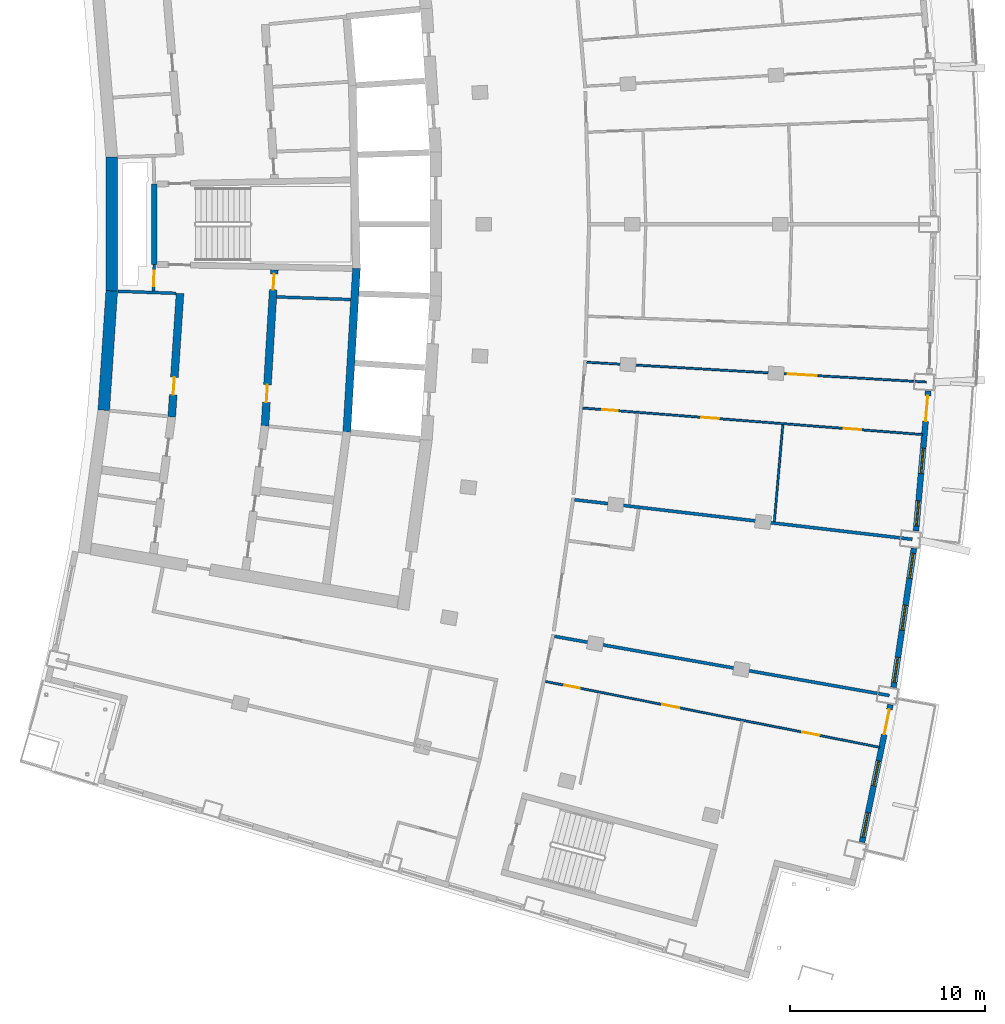
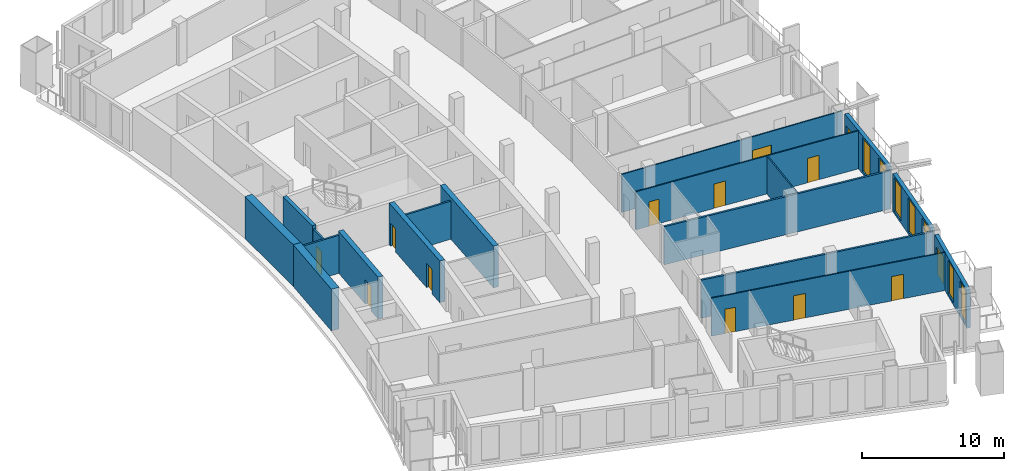
# One storey, part 11 of 19: 18 walls, 13 doors, 7 windows, 20 openings.
"""IFC4 building model written with IfcOpenShell, lengths in metres."""

from ifc_helpers import new_model, si_unit, direction, frame, frame_2d, origin, place, context, subcontext, project, spatial, rectangle, extrude, material, layer, layer_set, type_object, element, fill, save


model = new_model("IFC4")

# Units and contexts
model_context = context("Model", 3, precision=1e-05, world=origin(), true_north=direction((0.0, 1.0)))
body_context = subcontext(model_context, "Body", "Model", "MODEL_VIEW")
ifc_project = project(units=[si_unit("LENGTHUNIT", "METRE"), si_unit("AREAUNIT", "SQUARE_METRE"), si_unit("VOLUMEUNIT", "CUBIC_METRE"), si_unit("PLANEANGLEUNIT", "RADIAN"), si_unit("MASSUNIT", "GRAM", prefix="KILO")], contexts=[model_context])

# Site, building, storey
site_placement = place(None, origin())
site = spatial("IfcSite", under=ifc_project, at=site_placement, CompositionType="ELEMENT")
building_placement = place(site_placement, origin())
building = spatial("IfcBuilding", under=site, at=building_placement, Name="Alderwake Tower", CompositionType="ELEMENT")
storey_placement = place(building_placement, frame((0.0, 0.0, 192.800048828125)))
storey = spatial("IfcBuildingStorey", under=building, at=storey_placement, Name="L47", CompositionType="ELEMENT", Elevation=192.800048828125)

# Wall
ifc_material_1 = material(Name="Gypsum shaft wall system, rated")
ifc_layer_1 = layer(ifc_material_1, 0.14990234375)
ifc_layer_set_1 = layer_set([ifc_layer_1], Name="Core riser partition 150")
wall_type_1 = type_object("IfcWallType", Name="Core riser partition 150", PredefinedType="PARTITIONING", material=ifc_layer_set_1)
wall_1_placement = place(storey_placement, frame((25.1904296875, 57.276611328125, 0.0), z_axis=(0.0, 0.0, 1.0), x_axis=(0.999373547283, -0.03539086028, 0.0)))
element("IfcWall", 1, at=wall_1_placement, inside=storey, type_object=wall_type_1, Name="CW/L47/PR-37_+86", PredefinedType="PARTITIONING", context=body_context, shape_type="SweptSolid", body=[
    extrude(rectangle(XDim=3.794189453125, YDim=0.14990234375, at=frame_2d((1.89697265625, 0.0))), origin(), (0.0, 0.0, 1.0), 3.280029296875),
])

# Wall, opening, door
ifc_material_2 = material(Name="Gypsum shaft wall system, rated")
ifc_layer_2 = layer(ifc_material_2, 0.14990234375)
ifc_layer_set_2 = layer_set([ifc_layer_2], Name="Core room partition 150")
wall_type_2 = type_object("IfcWallType", Name="Core room partition 150", PredefinedType="PARTITIONING", material=ifc_layer_set_2)
wall_2_placement = place(storey_placement, frame((18.918701171875, 58.94384765625, 0.0), z_axis=(0.0, 0.0, 1.0), x_axis=(-0.027811602725, -0.999613182563, 0.0)))
wall_2 = element("IfcWall", 2, at=wall_2_placement, inside=storey, type_object=wall_type_2, Name="CW/L47/PA+24_-37", PredefinedType="PARTITIONING", context=body_context, shape_type="SweptSolid", body=[
    extrude(rectangle(XDim=1.369384765625, YDim=0.14990234375, at=frame_2d((0.6845703125, 0.0))), origin(), (0.0, 0.0, 1.0), 3.280029296875),
])
opening_1_placement = place(wall_2_placement, frame((0.322998046875, 0.0, 0.0)))
opening_1 = element("IfcOpeningElement", 3, at=opening_1_placement, cuts=wall_2, Name="Opening C004", PredefinedType="OPENING", context=body_context, shape_type="SweptSolid", body=[
    extrude(rectangle(XDim=0.800048828125, YDim=2.0, at=frame_2d((0.39990234375, 1.0))), frame((0.0, 0.0849609375, 0.0), z_axis=(0.0, -1.0, 0.0), x_axis=(1.0, 0.0, 0.0)), (0.0, 0.0, 1.0), 0.169921875),
])
ifc_material_3 = material(Name="Painted steel leaf, rated", Category="steel")
door_type_1 = type_object("IfcDoorType", Name="Riser access door 800", OperationType="SINGLE_SWING_LEFT", PredefinedType="DOOR", material=ifc_material_3)
door_1_placement = place(opening_1_placement, origin())
door_1 = element("IfcDoor", 4, at=door_1_placement, inside=storey, type_object=door_type_1, Name="Riser access door", OperationType="SINGLE_SWING_RIGHT", OverallHeight=2.0, OverallWidth=0.800048828125, PredefinedType="DOOR", context=body_context, shape_type="SweptSolid", body=[
    extrude(rectangle(XDim=0.800048828125, YDim=2.0, at=frame_2d((0.39990234375, 1.0))), frame((0.0, 0.02490234375, 0.0), z_axis=(0.0, -1.0, 0.0), x_axis=(1.0, 0.0, 0.0)), (0.0, 0.0, 1.0), 0.050048828125),
])
fill(opening_1, door_1)

# Walls
wall_3_placement = place(storey_placement, frame((17.0693359375, 57.56396484375, 0.0), z_axis=(0.0, 0.0, 1.0), x_axis=(0.999374945052, -0.03535136775, 0.0)))
element("IfcWall", 5, at=wall_3_placement, inside=storey, type_object=wall_type_2, Name="CW/L47/PR-37_+0", PredefinedType="PARTITIONING", context=body_context, shape_type="SweptSolid", body=[
    extrude(rectangle(XDim=2.9697265625, YDim=0.14990234375, at=frame_2d((1.48486328125, 0.0))), origin(), (0.0, 0.0, 1.0), 3.280029296875),
])
ifc_material_4 = material(Name="Concrete C70/85", Category="concrete")
ifc_layer_3 = layer(ifc_material_4, 0.60009765625)
ifc_layer_set_3 = layer_set([ifc_layer_3], Name="Core wall outer 600 C70-85")
wall_type_3 = type_object("IfcWallType", Name="Core wall outer 600 C70-85", PredefinedType="SHEAR", material=ifc_layer_set_3)
wall_4_placement = place(storey_placement, frame((16.330078125, 51.469970703125, 0.0), z_axis=(0.0, 0.0, 1.0), x_axis=(0.066870582109, 0.997761657536, 0.0)))
element("IfcWall", 6, at=wall_4_placement, inside=storey, type_object=wall_type_3, Name="Core wall CW.036", PredefinedType="SHEAR", context=body_context, shape_type="SweptSolid", body=[
    extrude(rectangle(XDim=6.1298828125, YDim=0.60009765625, at=frame_2d((3.06494140625, 0.0))), origin(), (0.0, 0.0, 1.0), 3.599853515625),
])
wall_5_placement = place(storey_placement, frame((16.739501953125, 57.565185546875, 0.0), z_axis=(0.0, 0.0, 1.0), x_axis=(0.0, 1.0, 0.0)))
element("IfcWall", 7, at=wall_5_placement, inside=storey, type_object=wall_type_3, Name="Core wall CW.038", PredefinedType="SHEAR", context=body_context, shape_type="SweptSolid", body=[
    extrude(rectangle(XDim=6.8720703125, YDim=0.60009765625, at=frame_2d((3.43603515625, 0.0))), origin(), (0.0, 0.0, 1.0), 3.599853515625),
])

# Wall, opening, door
ifc_material_5 = material(Name="Concrete C70/85", Category="concrete")
ifc_layer_4 = layer(ifc_material_5, 0.39990234375)
ifc_layer_set_4 = layer_set([ifc_layer_4], Name="Core wall spine 400 C70-85")
wall_type_4 = type_object("IfcWallType", Name="Core wall spine 400 C70-85", PredefinedType="SHEAR", material=ifc_layer_set_4)
wall_6_placement = place(storey_placement, frame((20.2373046875, 57.451904296875, 0.0), z_axis=(0.0, 0.0, 1.0), x_axis=(-0.066884681503, -0.997760712486, 0.0)))
wall_6 = element("IfcWall", 8, at=wall_6_placement, inside=storey, type_object=wall_type_4, Name="Core wall CW.032", PredefinedType="SHEAR", context=body_context, shape_type="SweptSolid", body=[
    extrude(rectangle(XDim=6.336669921875, YDim=0.39990234375, at=frame_2d((3.16845703125, 0.0))), origin(), (0.0, 0.0, 1.0), 3.599853515625),
])
opening_2_placement = place(wall_6_placement, frame((4.297119140625, 0.0, 0.0)))
opening_2 = element("IfcOpeningElement", 9, at=opening_2_placement, cuts=wall_6, Name="Opening C040", PredefinedType="OPENING", context=body_context, shape_type="SweptSolid", body=[
    extrude(rectangle(XDim=0.89990234375, YDim=2.10009765625, at=frame_2d((0.449951171875, 1.050048828125))), frame((0.0, 0.2099609375, 0.0), z_axis=(0.0, -1.0, 0.0), x_axis=(1.0, 0.0, 0.0)), (0.0, 0.0, 1.0), 0.419921875),
])
ifc_material_6 = material(Name="Painted steel leaf", Category="steel")
door_type_2 = type_object("IfcDoorType", Name="Core room door 900", OperationType="SINGLE_SWING_LEFT", PredefinedType="DOOR", material=ifc_material_6)
door_2_placement = place(opening_2_placement, origin())
door_2 = element("IfcDoor", 10, at=door_2_placement, inside=storey, type_object=door_type_2, Name="Room door", OperationType="SINGLE_SWING_RIGHT", OverallHeight=2.10009765625, OverallWidth=0.89990234375, PredefinedType="DOOR", context=body_context, shape_type="SweptSolid", body=[
    extrude(rectangle(XDim=0.89990234375, YDim=2.10009765625, at=frame_2d((0.449951171875, 1.050048828125))), frame((0.0, 0.02490234375, 0.0), z_axis=(0.0, -1.0, 0.0), x_axis=(1.0, 0.0, 0.0)), (0.0, 0.0, 1.0), 0.050048828125),
])
fill(opening_2, door_2)

# Wall, openings, doors
wall_7_placement = place(storey_placement, frame((24.590087890625, 50.65673828125, 0.0), z_axis=(0.0, 0.0, 1.0), x_axis=(0.060318641452, 0.998179173041, 0.0)))
wall_7 = element("IfcWall", 11, at=wall_7_placement, inside=storey, type_object=wall_type_4, Name="Core wall CW.046", PredefinedType="SHEAR", context=body_context, shape_type="SweptSolid", body=[
    extrude(rectangle(XDim=8.022216796875, YDim=0.39990234375, at=frame_2d((4.01123046875, 0.0))), origin(), (0.0, 0.0, 1.0), 3.599853515625),
])
opening_3_placement = place(wall_7_placement, frame((7.006103515625, 0.0, 0.0)))
opening_3 = element("IfcOpeningElement", 12, at=opening_3_placement, cuts=wall_7, Name="Opening C006", PredefinedType="OPENING", context=body_context, shape_type="SweptSolid", body=[
    extrude(rectangle(XDim=0.800048828125, YDim=2.0, at=frame_2d((0.39990234375, 1.0))), frame((0.0, 0.2099609375, 0.0), z_axis=(0.0, -1.0, 0.0), x_axis=(1.0, 0.0, 0.0)), (0.0, 0.0, 1.0), 0.419921875),
])
opening_4_placement = place(wall_7_placement, frame((1.21533203125, 0.0, 0.0)))
opening_4 = element("IfcOpeningElement", 13, at=opening_4_placement, cuts=wall_7, Name="Opening C046", PredefinedType="OPENING", context=body_context, shape_type="SweptSolid", body=[
    extrude(rectangle(XDim=0.89990234375, YDim=2.10009765625, at=frame_2d((0.449951171875, 1.050048828125))), frame((0.0, 0.2099609375, 0.0), z_axis=(0.0, -1.0, 0.0), x_axis=(1.0, 0.0, 0.0)), (0.0, 0.0, 1.0), 0.419921875),
])
door_3_placement = place(opening_4_placement, origin())
door_3 = element("IfcDoor", 14, at=door_3_placement, inside=storey, type_object=door_type_2, Name="Room door", OperationType="SINGLE_SWING_RIGHT", OverallHeight=2.10009765625, OverallWidth=0.89990234375, PredefinedType="DOOR", context=body_context, shape_type="SweptSolid", body=[
    extrude(rectangle(XDim=0.89990234375, YDim=2.10009765625, at=frame_2d((0.449951171875, 1.050048828125))), frame((0.0, 0.02490234375, 0.0), z_axis=(0.0, -1.0, 0.0), x_axis=(1.0, 0.0, 0.0)), (0.0, 0.0, 1.0), 0.050048828125),
])
fill(opening_4, door_3)
door_4_placement = place(opening_3_placement, origin())
door_4 = element("IfcDoor", 15, at=door_4_placement, inside=storey, type_object=door_type_1, Name="Riser access door", OperationType="SINGLE_SWING_RIGHT", OverallHeight=2.0, OverallWidth=0.800048828125, PredefinedType="DOOR", context=body_context, shape_type="SweptSolid", body=[
    extrude(rectangle(XDim=0.800048828125, YDim=2.0, at=frame_2d((0.39990234375, 1.0))), frame((0.0, 0.02490234375, 0.0), z_axis=(0.0, -1.0, 0.0), x_axis=(1.0, 0.0, 0.0)), (0.0, 0.0, 1.0), 0.050048828125),
])
fill(opening_3, door_4)

# Walls
wall_8_placement = place(storey_placement, frame((28.780029296875, 50.34765625, 0.0), z_axis=(0.0, 0.0, 1.0), x_axis=(0.05912910263, 0.998250343963, 0.0)))
element("IfcWall", 16, at=wall_8_placement, inside=storey, type_object=wall_type_4, Name="Core wall CW.004", PredefinedType="SHEAR", context=body_context, shape_type="SweptSolid", body=[
    extrude(rectangle(XDim=8.40234375, YDim=0.39990234375, at=frame_2d((4.201171875, 0.0))), origin(), (0.0, 0.0, 1.0), 3.599853515625),
])
ifc_material_7 = material(Name="Concrete C70/85", Category="concrete")
ifc_layer_5 = layer(ifc_material_7, 0.300048828125)
ifc_layer_set_5 = layer_set([ifc_layer_5], Name="Core wall stair enclosure 300 C70-85")
wall_type_5 = type_object("IfcWallType", Name="Core wall stair enclosure 300 C70-85", PredefinedType="SHEAR", material=ifc_layer_set_5)
wall_9_placement = place(storey_placement, frame((18.918701171875, 58.940673828125, 0.0), z_axis=(0.0, 0.0, 1.0), x_axis=(0.0, 1.0, 0.0)))
element("IfcWall", 17, at=wall_9_placement, inside=storey, type_object=wall_type_5, Name="Core wall CW.024", PredefinedType="SHEAR", context=body_context, shape_type="SweptSolid", body=[
    extrude(rectangle(XDim=4.11962890625, YDim=0.300048828125, at=frame_2d((2.059814453125, 0.0))), origin(), (0.0, 0.0, 1.0), 3.599853515625),
])
ifc_material_8 = material(Name="Gypsum board on metal studs, rated")
ifc_layer_6 = layer(ifc_material_8, 0.159912109375)
ifc_layer_set_6 = layer_set([ifc_layer_6], Name="Corridor wall 160")
wall_type_6 = type_object("IfcWallType", Name="Corridor wall 160", PredefinedType="PARTITIONING", material=ifc_layer_set_6)
wall_10_placement = place(storey_placement, frame((56.5830078125, 36.85205078125, 0.0), z_axis=(0.0, 0.0, 1.0), x_axis=(-0.984749823473, 0.173976392566, 0.0)))
element("IfcWall", 18, at=wall_10_placement, inside=storey, type_object=wall_type_6, Name="WL/L47/W28", PredefinedType="PARTITIONING", context=body_context, shape_type="SweptSolid", body=[
    extrude(rectangle(XDim=17.421875, YDim=0.159912109375, at=frame_2d((8.7109375, 0.0))), origin(), (0.0, 0.0, 1.0), 3.280029296875),
])
wall_11_placement = place(storey_placement, frame((57.756103515625, 44.85595703125, 0.0), z_axis=(0.0, 0.0, 1.0), x_axis=(-0.993199884599, 0.116421601229, 0.0)))
element("IfcWall", 19, at=wall_11_placement, inside=storey, type_object=wall_type_6, Name="WL/L47/W29", PredefinedType="PARTITIONING", context=body_context, shape_type="SweptSolid", body=[
    extrude(rectangle(XDim=17.41796875, YDim=0.159912109375, at=frame_2d((8.708984375, 0.0))), origin(), (0.0, 0.0, 1.0), 3.280029296875),
])

# Wall, openings, door, windows
ifc_material_9 = material(Name="Precast concrete C50/60 spandrel panel", Category="concrete")
ifc_layer_7 = layer(ifc_material_9, 0.300048828125)
ifc_layer_set_7 = layer_set([ifc_layer_7], Name="External wall EW1 Precast concrete C50/60 spandrel")
wall_type_7 = type_object("IfcWallType", Name="External wall EW1 Precast concrete C50/60 spandrel", PredefinedType="SOLIDWALL", material=ifc_layer_set_7)
wall_12_placement = place(storey_placement, frame((55.177978515625, 29.3330078125, 0.0), z_axis=(0.0, 0.0, 1.0), x_axis=(0.202740086823, 0.979232585852, 0.0)))
wall_12 = element("IfcWall", 20, at=wall_12_placement, inside=storey, type_object=wall_type_7, Name="External wall 12", PredefinedType="SOLIDWALL", context=body_context, shape_type="SweptSolid", body=[
    extrude(rectangle(XDim=7.20361328125, YDim=0.300048828125, at=frame_2d((3.601806640625, 0.0))), origin(), (0.0, 0.0, 1.0), 3.280029296875),
])
opening_5_placement = place(wall_12_placement, frame((0.257080078125, 0.0, 0.199951171875)))
opening_5 = element("IfcOpeningElement", 21, at=opening_5_placement, cuts=wall_12, Name="Opening W1", PredefinedType="OPENING", context=body_context, shape_type="SweptSolid", body=[
    extrude(rectangle(XDim=1.300048828125, YDim=2.89990234375, at=frame_2d((0.64990234375, 1.449951171875))), frame((0.0, 0.159912109375, 0.0), z_axis=(0.0, -1.0, 0.0), x_axis=(1.0, 0.0, 0.0)), (0.0, 0.0, 1.0), 0.320068359375),
])
opening_6_placement = place(wall_12_placement, frame((2.951904296875, 0.0, 0.199951171875)))
opening_6 = element("IfcOpeningElement", 22, at=opening_6_placement, cuts=wall_12, Name="Opening W1", PredefinedType="OPENING", context=body_context, shape_type="SweptSolid", body=[
    extrude(rectangle(XDim=1.300048828125, YDim=2.89990234375, at=frame_2d((0.64990234375, 1.449951171875))), frame((0.0, 0.159912109375, 0.0), z_axis=(0.0, -1.0, 0.0), x_axis=(1.0, 0.0, 0.0)), (0.0, 0.0, 1.0), 0.320068359375),
])
opening_7_placement = place(wall_12_placement, frame((5.646484375, 0.0, 0.0)))
opening_7 = element("IfcOpeningElement", 23, at=opening_7_placement, cuts=wall_12, Name="Opening D02", PredefinedType="OPENING", context=body_context, shape_type="SweptSolid", body=[
    extrude(rectangle(XDim=1.300048828125, YDim=2.39990234375, at=frame_2d((0.64990234375, 1.199951171875))), frame((0.0, 0.159912109375, 0.0), z_axis=(0.0, -1.0, 0.0), x_axis=(1.0, 0.0, 0.0)), (0.0, 0.0, 1.0), 0.320068359375),
])
ifc_material_10 = material(Name="Bronze tinted glass in aluminium frame", Category="aluminium")
door_type_3 = type_object("IfcDoorType", Name="Balcony door BD sliding", OperationType="SLIDING_TO_LEFT", PredefinedType="DOOR", material=ifc_material_10)
door_5_placement = place(opening_7_placement, origin())
door_5 = element("IfcDoor", 24, at=door_5_placement, inside=storey, type_object=door_type_3, Name="Door D02", OperationType="SLIDING_TO_LEFT", OverallHeight=2.39990234375, OverallWidth=1.300048828125, PredefinedType="DOOR", context=body_context, shape_type="SweptSolid", body=[
    extrude(rectangle(XDim=1.300048828125, YDim=2.39990234375, at=frame_2d((0.64990234375, 1.199951171875))), frame((0.0, 0.02490234375, 0.0), z_axis=(0.0, -1.0, 0.0), x_axis=(1.0, 0.0, 0.0)), (0.0, 0.0, 1.0), 0.050048828125),
])
fill(opening_7, door_5)
ifc_material_11 = material(Name="Bronze tinted glass in aluminium frame", Category="aluminium")
window_type = type_object("IfcWindowType", Name="Window W1 tall fixed and vent", PartitioningType="DOUBLE_PANEL_VERTICAL", PredefinedType="WINDOW", material=ifc_material_11)
window_1_placement = place(opening_5_placement, origin())
window_1 = element("IfcWindow", 25, at=window_1_placement, inside=storey, type_object=window_type, Name="Window W1 tall fixed and vent", OverallHeight=2.89990234375, OverallWidth=1.300048828125, PartitioningType="DOUBLE_PANEL_VERTICAL", PredefinedType="WINDOW", context=body_context, shape_type="SweptSolid", body=[
    extrude(rectangle(XDim=1.300048828125, YDim=2.89990234375, at=frame_2d((0.64990234375, 1.449951171875))), frame((0.0, 0.030029296875, 0.0), z_axis=(0.0, -1.0, 0.0), x_axis=(1.0, 0.0, 0.0)), (0.0, 0.0, 1.0), 0.06005859375),
])
fill(opening_5, window_1)
window_2_placement = place(opening_6_placement, origin())
window_2 = element("IfcWindow", 26, at=window_2_placement, inside=storey, type_object=window_type, Name="Window W1 tall fixed and vent", OverallHeight=2.89990234375, OverallWidth=1.300048828125, PartitioningType="DOUBLE_PANEL_VERTICAL", PredefinedType="WINDOW", context=body_context, shape_type="SweptSolid", body=[
    extrude(rectangle(XDim=1.300048828125, YDim=2.89990234375, at=frame_2d((0.64990234375, 1.449951171875))), frame((0.0, 0.030029296875, 0.0), z_axis=(0.0, -1.0, 0.0), x_axis=(1.0, 0.0, 0.0)), (0.0, 0.0, 1.0), 0.06005859375),
])
fill(opening_6, window_2)

# Wall, openings, windows
wall_13_placement = place(storey_placement, frame((56.794189453125, 37.267578125, 0.0), z_axis=(0.0, 0.0, 1.0), x_axis=(0.145320319938, 0.98938465958, 0.0)))
wall_13 = element("IfcWall", 27, at=wall_13_placement, inside=storey, type_object=wall_type_7, Name="External wall 13", PredefinedType="SOLIDWALL", context=body_context, shape_type="SweptSolid", body=[
    extrude(rectangle(XDim=7.203857421875, YDim=0.300048828125, at=frame_2d((3.60205078125, 0.0))), origin(), (0.0, 0.0, 1.0), 3.280029296875),
])
opening_8_placement = place(wall_13_placement, frame((0.257080078125, 0.0, 0.199951171875)))
opening_8 = element("IfcOpeningElement", 28, at=opening_8_placement, cuts=wall_13, Name="Opening W1", PredefinedType="OPENING", context=body_context, shape_type="SweptSolid", body=[
    extrude(rectangle(XDim=1.300048828125, YDim=2.89990234375, at=frame_2d((0.64990234375, 1.449951171875))), frame((0.0, 0.159912109375, 0.0), z_axis=(0.0, -1.0, 0.0), x_axis=(1.0, 0.0, 0.0)), (0.0, 0.0, 1.0), 0.320068359375),
])
opening_9_placement = place(wall_13_placement, frame((2.951904296875, 0.0, 0.199951171875)))
opening_9 = element("IfcOpeningElement", 29, at=opening_9_placement, cuts=wall_13, Name="Opening W1", PredefinedType="OPENING", context=body_context, shape_type="SweptSolid", body=[
    extrude(rectangle(XDim=1.300048828125, YDim=2.89990234375, at=frame_2d((0.64990234375, 1.449951171875))), frame((0.0, 0.159912109375, 0.0), z_axis=(0.0, -1.0, 0.0), x_axis=(1.0, 0.0, 0.0)), (0.0, 0.0, 1.0), 0.320068359375),
])
opening_10_placement = place(wall_13_placement, frame((5.646484375, 0.0, 0.199951171875)))
opening_10 = element("IfcOpeningElement", 30, at=opening_10_placement, cuts=wall_13, Name="Opening W1", PredefinedType="OPENING", context=body_context, shape_type="SweptSolid", body=[
    extrude(rectangle(XDim=1.300048828125, YDim=2.89990234375, at=frame_2d((0.64990234375, 1.449951171875))), frame((0.0, 0.159912109375, 0.0), z_axis=(0.0, -1.0, 0.0), x_axis=(1.0, 0.0, 0.0)), (0.0, 0.0, 1.0), 0.320068359375),
])
window_3_placement = place(opening_8_placement, origin())
window_3 = element("IfcWindow", 31, at=window_3_placement, inside=storey, type_object=window_type, Name="Window W1 tall fixed and vent", OverallHeight=2.89990234375, OverallWidth=1.300048828125, PartitioningType="DOUBLE_PANEL_VERTICAL", PredefinedType="WINDOW", context=body_context, shape_type="SweptSolid", body=[
    extrude(rectangle(XDim=1.300048828125, YDim=2.89990234375, at=frame_2d((0.64990234375, 1.449951171875))), frame((0.0, 0.030029296875, 0.0), z_axis=(0.0, -1.0, 0.0), x_axis=(1.0, 0.0, 0.0)), (0.0, 0.0, 1.0), 0.06005859375),
])
fill(opening_8, window_3)
window_4_placement = place(opening_9_placement, origin())
window_4 = element("IfcWindow", 32, at=window_4_placement, inside=storey, type_object=window_type, Name="Window W1 tall fixed and vent", OverallHeight=2.89990234375, OverallWidth=1.300048828125, PartitioningType="DOUBLE_PANEL_VERTICAL", PredefinedType="WINDOW", context=body_context, shape_type="SweptSolid", body=[
    extrude(rectangle(XDim=1.300048828125, YDim=2.89990234375, at=frame_2d((0.64990234375, 1.449951171875))), frame((0.0, 0.030029296875, 0.0), z_axis=(0.0, -1.0, 0.0), x_axis=(1.0, 0.0, 0.0)), (0.0, 0.0, 1.0), 0.06005859375),
])
fill(opening_9, window_4)
window_5_placement = place(opening_10_placement, origin())
window_5 = element("IfcWindow", 33, at=window_5_placement, inside=storey, type_object=window_type, Name="Window W1 tall fixed and vent", OverallHeight=2.89990234375, OverallWidth=1.300048828125, PartitioningType="DOUBLE_PANEL_VERTICAL", PredefinedType="WINDOW", context=body_context, shape_type="SweptSolid", body=[
    extrude(rectangle(XDim=1.300048828125, YDim=2.89990234375, at=frame_2d((0.64990234375, 1.449951171875))), frame((0.0, 0.030029296875, 0.0), z_axis=(0.0, -1.0, 0.0), x_axis=(1.0, 0.0, 0.0)), (0.0, 0.0, 1.0), 0.06005859375),
])
fill(opening_10, window_5)

# Wall, openings, door, windows
wall_14_placement = place(storey_placement, frame((57.9453125, 45.283203125, 0.0), z_axis=(0.0, 0.0, 1.0), x_axis=(0.087372536775, 0.996175707301, 0.0)))
wall_14 = element("IfcWall", 34, at=wall_14_placement, inside=storey, type_object=wall_type_7, Name="External wall 14", PredefinedType="SOLIDWALL", context=body_context, shape_type="SweptSolid", body=[
    extrude(rectangle(XDim=7.20361328125, YDim=0.300048828125, at=frame_2d((3.601806640625, 0.0))), origin(), (0.0, 0.0, 1.0), 3.280029296875),
])
opening_11_placement = place(wall_14_placement, frame((0.257080078125, 0.0, 0.199951171875)))
opening_11 = element("IfcOpeningElement", 35, at=opening_11_placement, cuts=wall_14, Name="Opening W1", PredefinedType="OPENING", context=body_context, shape_type="SweptSolid", body=[
    extrude(rectangle(XDim=1.300048828125, YDim=2.89990234375, at=frame_2d((0.64990234375, 1.449951171875))), frame((0.0, 0.159912109375, 0.0), z_axis=(0.0, -1.0, 0.0), x_axis=(1.0, 0.0, 0.0)), (0.0, 0.0, 1.0), 0.320068359375),
])
opening_12_placement = place(wall_14_placement, frame((2.951904296875, 0.0, 0.199951171875)))
opening_12 = element("IfcOpeningElement", 36, at=opening_12_placement, cuts=wall_14, Name="Opening W1", PredefinedType="OPENING", context=body_context, shape_type="SweptSolid", body=[
    extrude(rectangle(XDim=1.300048828125, YDim=2.89990234375, at=frame_2d((0.64990234375, 1.449951171875))), frame((0.0, 0.159912109375, 0.0), z_axis=(0.0, -1.0, 0.0), x_axis=(1.0, 0.0, 0.0)), (0.0, 0.0, 1.0), 0.320068359375),
])
opening_13_placement = place(wall_14_placement, frame((5.646484375, 0.0, 0.0)))
opening_13 = element("IfcOpeningElement", 37, at=opening_13_placement, cuts=wall_14, Name="Opening D03", PredefinedType="OPENING", context=body_context, shape_type="SweptSolid", body=[
    extrude(rectangle(XDim=1.300048828125, YDim=2.39990234375, at=frame_2d((0.64990234375, 1.199951171875))), frame((0.0, 0.159912109375, 0.0), z_axis=(0.0, -1.0, 0.0), x_axis=(1.0, 0.0, 0.0)), (0.0, 0.0, 1.0), 0.320068359375),
])
door_6_placement = place(opening_13_placement, origin())
door_6 = element("IfcDoor", 38, at=door_6_placement, inside=storey, type_object=door_type_3, Name="Door D03", OperationType="SLIDING_TO_LEFT", OverallHeight=2.39990234375, OverallWidth=1.300048828125, PredefinedType="DOOR", context=body_context, shape_type="SweptSolid", body=[
    extrude(rectangle(XDim=1.300048828125, YDim=2.39990234375, at=frame_2d((0.64990234375, 1.199951171875))), frame((0.0, 0.02490234375, 0.0), z_axis=(0.0, -1.0, 0.0), x_axis=(1.0, 0.0, 0.0)), (0.0, 0.0, 1.0), 0.050048828125),
])
fill(opening_13, door_6)
window_6_placement = place(opening_11_placement, origin())
window_6 = element("IfcWindow", 39, at=window_6_placement, inside=storey, type_object=window_type, Name="Window W1 tall fixed and vent", OverallHeight=2.89990234375, OverallWidth=1.300048828125, PartitioningType="DOUBLE_PANEL_VERTICAL", PredefinedType="WINDOW", context=body_context, shape_type="SweptSolid", body=[
    extrude(rectangle(XDim=1.300048828125, YDim=2.89990234375, at=frame_2d((0.64990234375, 1.449951171875))), frame((0.0, 0.030029296875, 0.0), z_axis=(0.0, -1.0, 0.0), x_axis=(1.0, 0.0, 0.0)), (0.0, 0.0, 1.0), 0.06005859375),
])
fill(opening_11, window_6)
window_7_placement = place(opening_12_placement, origin())
window_7 = element("IfcWindow", 40, at=window_7_placement, inside=storey, type_object=window_type, Name="Window W1 tall fixed and vent", OverallHeight=2.89990234375, OverallWidth=1.300048828125, PartitioningType="DOUBLE_PANEL_VERTICAL", PredefinedType="WINDOW", context=body_context, shape_type="SweptSolid", body=[
    extrude(rectangle(XDim=1.300048828125, YDim=2.89990234375, at=frame_2d((0.64990234375, 1.449951171875))), frame((0.0, 0.030029296875, 0.0), z_axis=(0.0, -1.0, 0.0), x_axis=(1.0, 0.0, 0.0)), (0.0, 0.0, 1.0), 0.06005859375),
])
fill(opening_12, window_7)

# Wall, openings, doors
ifc_material_12 = material(Name="Gypsum board on metal studs")
ifc_layer_8 = layer(ifc_material_12, 0.10009765625)
ifc_layer_set_8 = layer_set([ifc_layer_8], Name="Unit partition 100")
wall_type_8 = type_object("IfcWallType", Name="Unit partition 100", PredefinedType="PARTITIONING", material=ifc_layer_set_8)
wall_15_placement = place(storey_placement, frame((56.08203125, 34.199951171875, 0.0), z_axis=(0.0, 0.0, 1.0), x_axis=(-0.981149196893, 0.193251787666, 0.0)))
wall_15 = element("IfcWall", 41, at=wall_15_placement, inside=storey, type_object=wall_type_8, Name="WL/L47/W43", PredefinedType="PARTITIONING", context=body_context, shape_type="SweptSolid", body=[
    extrude(rectangle(XDim=17.461669921875, YDim=0.10009765625, at=frame_2d((8.73095703125, 0.0))), origin(), (0.0, 0.0, 1.0), 3.280029296875),
])
opening_14_placement = place(wall_15_placement, frame((10.4560546875, 0.0, 0.0)))
opening_14 = element("IfcOpeningElement", 42, at=opening_14_placement, cuts=wall_15, Name="Opening R13-U03.1", PredefinedType="OPENING", context=body_context, shape_type="SweptSolid", body=[
    extrude(rectangle(XDim=0.89990234375, YDim=2.10009765625, at=frame_2d((0.449951171875, 1.050048828125))), frame((0.0, 0.06005859375, 0.0), z_axis=(0.0, -1.0, 0.0), x_axis=(1.0, 0.0, 0.0)), (0.0, 0.0, 1.0), 0.1201171875),
])
opening_15_placement = place(wall_15_placement, frame((15.652099609375, 0.0, 0.0)))
opening_15 = element("IfcOpeningElement", 43, at=opening_15_placement, cuts=wall_15, Name="Opening R13-U03.3", PredefinedType="OPENING", context=body_context, shape_type="SweptSolid", body=[
    extrude(rectangle(XDim=0.800048828125, YDim=2.10009765625, at=frame_2d((0.39990234375, 1.050048828125))), frame((0.0, 0.06005859375, 0.0), z_axis=(0.0, -1.0, 0.0), x_axis=(1.0, 0.0, 0.0)), (0.0, 0.0, 1.0), 0.1201171875),
])
opening_16_placement = place(wall_15_placement, frame((3.134521484375, 0.0, 0.0)))
opening_16 = element("IfcOpeningElement", 44, at=opening_16_placement, cuts=wall_15, Name="Opening R13-U03.4", PredefinedType="OPENING", context=body_context, shape_type="SweptSolid", body=[
    extrude(rectangle(XDim=0.89990234375, YDim=2.10009765625, at=frame_2d((0.449951171875, 1.050048828125))), frame((0.0, 0.06005859375, 0.0), z_axis=(0.0, -1.0, 0.0), x_axis=(1.0, 0.0, 0.0)), (0.0, 0.0, 1.0), 0.1201171875),
])
ifc_material_13 = material(Name="Painted timber leaf", Category="wood")
door_type_4 = type_object("IfcDoorType", Name="Bathroom door 800", OperationType="SINGLE_SWING_LEFT", PredefinedType="DOOR", material=ifc_material_13)
door_7_placement = place(opening_15_placement, origin())
door_7 = element("IfcDoor", 45, at=door_7_placement, inside=storey, type_object=door_type_4, Name="DR/L47/U03.3", OperationType="SINGLE_SWING_LEFT", OverallHeight=2.10009765625, OverallWidth=0.800048828125, PredefinedType="DOOR", context=body_context, shape_type="SweptSolid", body=[
    extrude(rectangle(XDim=0.800048828125, YDim=2.10009765625, at=frame_2d((0.39990234375, 1.050048828125))), frame((0.0, 0.02490234375, 0.0), z_axis=(0.0, -1.0, 0.0), x_axis=(1.0, 0.0, 0.0)), (0.0, 0.0, 1.0), 0.050048828125),
])
fill(opening_15, door_7)
ifc_material_14 = material(Name="Painted timber leaf", Category="wood")
door_type_5 = type_object("IfcDoorType", Name="Room door 900", OperationType="SINGLE_SWING_LEFT", PredefinedType="DOOR", material=ifc_material_14)
door_8_placement = place(opening_14_placement, origin())
door_8 = element("IfcDoor", 46, at=door_8_placement, inside=storey, type_object=door_type_5, Name="DR/L47/U03.1", OperationType="SINGLE_SWING_LEFT", OverallHeight=2.10009765625, OverallWidth=0.89990234375, PredefinedType="DOOR", context=body_context, shape_type="SweptSolid", body=[
    extrude(rectangle(XDim=0.89990234375, YDim=2.10009765625, at=frame_2d((0.449951171875, 1.050048828125))), frame((0.0, 0.02490234375, 0.0), z_axis=(0.0, -1.0, 0.0), x_axis=(1.0, 0.0, 0.0)), (0.0, 0.0, 1.0), 0.050048828125),
])
fill(opening_14, door_8)
door_9_placement = place(opening_16_placement, origin())
door_9 = element("IfcDoor", 47, at=door_9_placement, inside=storey, type_object=door_type_5, Name="DR/L47/U03.4", OperationType="SINGLE_SWING_LEFT", OverallHeight=2.10009765625, OverallWidth=0.89990234375, PredefinedType="DOOR", context=body_context, shape_type="SweptSolid", body=[
    extrude(rectangle(XDim=0.89990234375, YDim=2.10009765625, at=frame_2d((0.449951171875, 1.050048828125))), frame((0.0, 0.02490234375, 0.0), z_axis=(0.0, -1.0, 0.0), x_axis=(1.0, 0.0, 0.0)), (0.0, 0.0, 1.0), 0.050048828125),
])
fill(opening_16, door_9)

wall_16_placement = place(storey_placement, frame((58.278076171875, 50.222900390625, 0.0), z_axis=(0.0, 0.0, 1.0), x_axis=(-0.996967838028, 0.077814715426, 0.0)))
wall_16 = element("IfcWall", 48, at=wall_16_placement, inside=storey, type_object=wall_type_8, Name="WL/L47/W44", PredefinedType="PARTITIONING", context=body_context, shape_type="SweptSolid", body=[
    extrude(rectangle(XDim=17.463134765625, YDim=0.10009765625, at=frame_2d((8.7314453125, 0.0))), origin(), (0.0, 0.0, 1.0), 3.280029296875),
])
opening_17_placement = place(wall_16_placement, frame((10.45751953125, 0.0, 0.0)))
opening_17 = element("IfcOpeningElement", 49, at=opening_17_placement, cuts=wall_16, Name="Opening R13-U04.1", PredefinedType="OPENING", context=body_context, shape_type="SweptSolid", body=[
    extrude(rectangle(XDim=0.89990234375, YDim=2.10009765625, at=frame_2d((0.449951171875, 1.050048828125))), frame((0.0, 0.06005859375, 0.0), z_axis=(0.0, -1.0, 0.0), x_axis=(1.0, 0.0, 0.0)), (0.0, 0.0, 1.0), 0.1201171875),
])
opening_18_placement = place(wall_16_placement, frame((15.65380859375, 0.0, 0.0)))
opening_18 = element("IfcOpeningElement", 50, at=opening_18_placement, cuts=wall_16, Name="Opening R13-U04.3", PredefinedType="OPENING", context=body_context, shape_type="SweptSolid", body=[
    extrude(rectangle(XDim=0.800048828125, YDim=2.10009765625, at=frame_2d((0.39990234375, 1.050048828125))), frame((0.0, 0.06005859375, 0.0), z_axis=(0.0, -1.0, 0.0), x_axis=(1.0, 0.0, 0.0)), (0.0, 0.0, 1.0), 0.1201171875),
])
opening_19_placement = place(wall_16_placement, frame((3.1357421875, 0.0, 0.0)))
opening_19 = element("IfcOpeningElement", 51, at=opening_19_placement, cuts=wall_16, Name="Opening R13-U04.4", PredefinedType="OPENING", context=body_context, shape_type="SweptSolid", body=[
    extrude(rectangle(XDim=0.89990234375, YDim=2.10009765625, at=frame_2d((0.449951171875, 1.050048828125))), frame((0.0, 0.06005859375, 0.0), z_axis=(0.0, -1.0, 0.0), x_axis=(1.0, 0.0, 0.0)), (0.0, 0.0, 1.0), 0.1201171875),
])
door_10_placement = place(opening_18_placement, origin())
door_10 = element("IfcDoor", 52, at=door_10_placement, inside=storey, type_object=door_type_4, Name="DR/L47/U04.3", OperationType="SINGLE_SWING_LEFT", OverallHeight=2.10009765625, OverallWidth=0.800048828125, PredefinedType="DOOR", context=body_context, shape_type="SweptSolid", body=[
    extrude(rectangle(XDim=0.800048828125, YDim=2.10009765625, at=frame_2d((0.39990234375, 1.050048828125))), frame((0.0, 0.02490234375, 0.0), z_axis=(0.0, -1.0, 0.0), x_axis=(1.0, 0.0, 0.0)), (0.0, 0.0, 1.0), 0.050048828125),
])
fill(opening_18, door_10)
door_11_placement = place(opening_17_placement, origin())
door_11 = element("IfcDoor", 53, at=door_11_placement, inside=storey, type_object=door_type_5, Name="DR/L47/U04.1", OperationType="SINGLE_SWING_LEFT", OverallHeight=2.10009765625, OverallWidth=0.89990234375, PredefinedType="DOOR", context=body_context, shape_type="SweptSolid", body=[
    extrude(rectangle(XDim=0.89990234375, YDim=2.10009765625, at=frame_2d((0.449951171875, 1.050048828125))), frame((0.0, 0.02490234375, 0.0), z_axis=(0.0, -1.0, 0.0), x_axis=(1.0, 0.0, 0.0)), (0.0, 0.0, 1.0), 0.050048828125),
])
fill(opening_17, door_11)
door_12_placement = place(opening_19_placement, origin())
door_12 = element("IfcDoor", 54, at=door_12_placement, inside=storey, type_object=door_type_5, Name="DR/L47/U04.4", OperationType="SINGLE_SWING_LEFT", OverallHeight=2.10009765625, OverallWidth=0.89990234375, PredefinedType="DOOR", context=body_context, shape_type="SweptSolid", body=[
    extrude(rectangle(XDim=0.89990234375, YDim=2.10009765625, at=frame_2d((0.449951171875, 1.050048828125))), frame((0.0, 0.02490234375, 0.0), z_axis=(0.0, -1.0, 0.0), x_axis=(1.0, 0.0, 0.0)), (0.0, 0.0, 1.0), 0.050048828125),
])
fill(opening_19, door_12)

# Wall
wall_17_placement = place(storey_placement, frame((50.68896484375, 45.763671875, 0.0), z_axis=(0.0, 0.0, 1.0), x_axis=(0.087343685822, 0.996178237339, 0.0)))
element("IfcWall", 55, at=wall_17_placement, inside=storey, type_object=wall_type_8, Name="WL/L47/W51", PredefinedType="PARTITIONING", context=body_context, shape_type="SweptSolid", body=[
    extrude(rectangle(XDim=4.986572265625, YDim=0.10009765625, at=frame_2d((2.4931640625, 0.0))), origin(), (0.0, 0.0, 1.0), 3.280029296875),
])

# Wall, opening, door
wall_18_placement = place(storey_placement, frame((41.074951171875, 53.92919921875, 0.0), z_axis=(0.0, 0.0, 1.0), x_axis=(0.998300373254, -0.058278338696, 0.0)))
wall_18 = element("IfcWall", 56, at=wall_18_placement, inside=storey, type_object=wall_type_8, Name="WL/L47/W55", PredefinedType="PARTITIONING", context=body_context, shape_type="SweptSolid", body=[
    extrude(rectangle(XDim=17.418701171875, YDim=0.10009765625, at=frame_2d((8.70947265625, 0.0))), origin(), (0.0, 0.0, 1.0), 3.280029296875),
])
opening_20_placement = place(wall_18_placement, frame((10.311279296875, 0.0, 0.0)))
opening_20 = element("IfcOpeningElement", 57, at=opening_20_placement, cuts=wall_18, Name="Opening R13-U04.8", PredefinedType="OPENING", context=body_context, shape_type="SweptSolid", body=[
    extrude(rectangle(XDim=1.5, YDim=2.10009765625, at=frame_2d((0.75, 1.050048828125))), frame((0.0, 0.06005859375, 0.0), z_axis=(0.0, -1.0, 0.0), x_axis=(1.0, 0.0, 0.0)), (0.0, 0.0, 1.0), 0.1201171875),
])
ifc_material_15 = material(Name="Painted timber leaves", Category="wood")
door_type_6 = type_object("IfcDoorType", Name="Double leaf door 1500", OperationType="DOUBLE_DOOR_SINGLE_SWING", PredefinedType="DOOR", material=ifc_material_15)
door_13_placement = place(opening_20_placement, origin())
door_13 = element("IfcDoor", 58, at=door_13_placement, inside=storey, type_object=door_type_6, Name="DR/L47/U04.8", OperationType="DOUBLE_DOOR_SINGLE_SWING", OverallHeight=2.10009765625, OverallWidth=1.5, PredefinedType="DOOR", context=body_context, shape_type="SweptSolid", body=[
    extrude(rectangle(XDim=1.5, YDim=2.10009765625, at=frame_2d((0.75, 1.050048828125))), frame((0.0, 0.02490234375, 0.0), z_axis=(0.0, -1.0, 0.0), x_axis=(1.0, 0.0, 0.0)), (0.0, 0.0, 1.0), 0.050048828125),
])
fill(opening_20, door_13)

save(model, "model.ifc")
